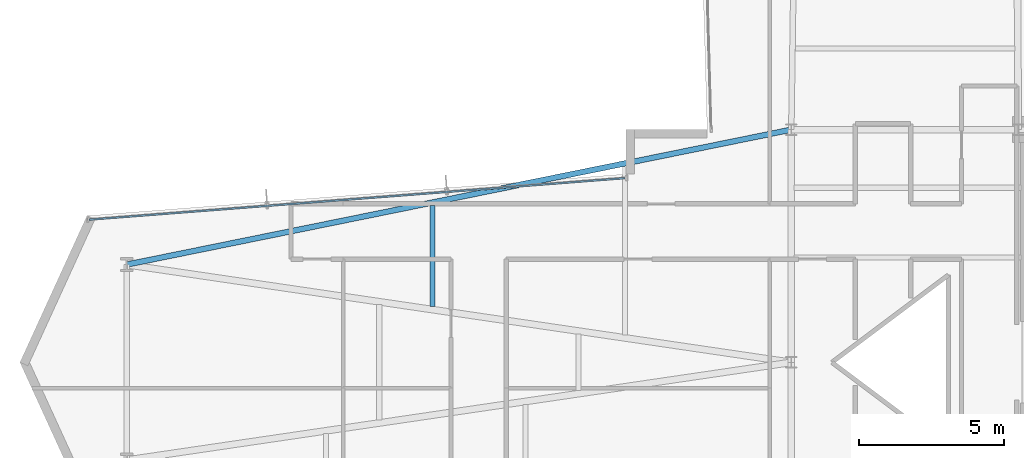
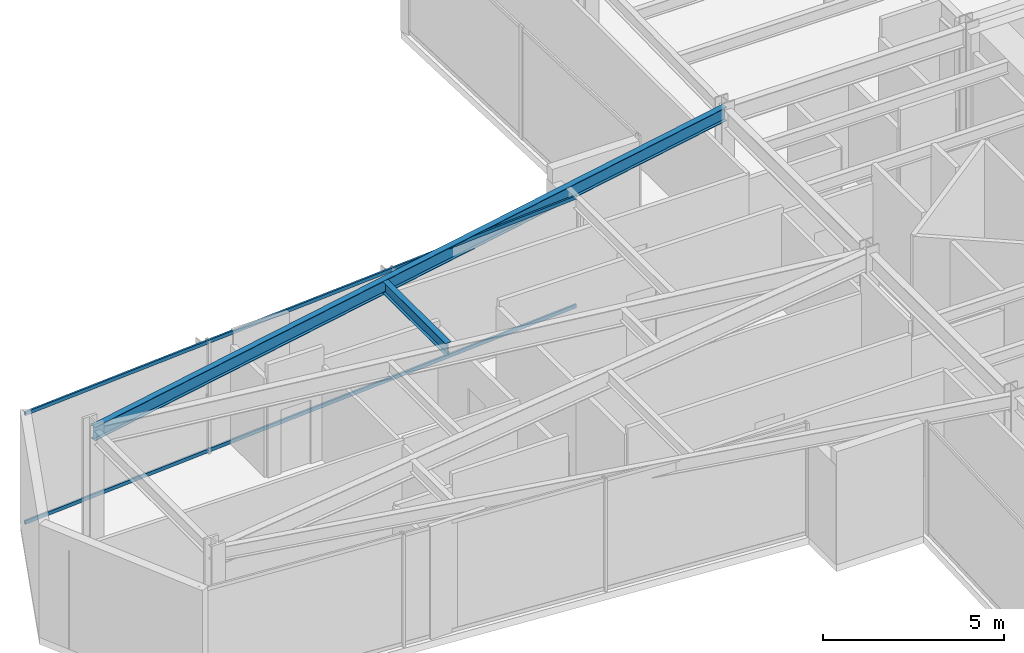
# One storey, part 9 of 30: 2 beams, 2 members, 1 element without a shape of its own.
"""IFC4 building model written with IfcOpenShell, lengths in metres."""

import ifcopenshell
import ifcopenshell.guid

model = None  # the IFC model being written
_history = None  # IfcOwnerHistory: only IFC2X3 demands one
_inside = {}  # id of a spatial element -> (the spatial element, [elements in it])
_under = {}  # id of a project, library or spatial element -> (it, [spatial elements below it])
_declared = {}  # id of a project -> (the project, [libraries it declares])
_typed = {}  # id of a type object -> (the type object, [elements of that type])
_made_of = {}  # id of a material, layer set ... -> (it, [elements and type objects made of it])


def new_model(schema):
    """Start an empty IFC model of exactly this schema.

    Asked for "IFC4X3", IfcOpenShell would pick the latest addendum, in which some entities
    have other attributes; the version numbers below select the first issue.
    IFC2X3 requires an IfcOwnerHistory on every rooted entity: one is made here for all.
    """
    global model, _history
    if schema == "IFC4X3":
        model = ifcopenshell.file(schema_version=(4, 3, 0, 0))
    else:
        model = ifcopenshell.file(schema=schema)
    _inside.clear()
    _under.clear()
    _declared.clear()
    _typed.clear()
    _made_of.clear()
    _history = None
    if model.schema == "IFC2X3":
        org = make("IfcOrganization", Name="unknown")
        user = make(
            "IfcPersonAndOrganization",
            ThePerson=make("IfcPerson", FamilyName="unknown"),
            TheOrganization=org,
        )
        app = make(
            "IfcApplication",
            ApplicationDeveloper=org,
            Version="unknown",
            ApplicationFullName="unknown",
            ApplicationIdentifier="unknown",
        )
        _history = make(
            "IfcOwnerHistory",
            OwningUser=user,
            OwningApplication=app,
            ChangeAction="ADDED",
            CreationDate=0,
        )
    return model


def make(cls, **values):
    """One entity of the class cls with the attributes given. An attribute that is None is left unset."""
    return model.create_entity(
        cls, **{name: value for name, value in values.items() if value is not None}
    )


def rooted(cls, **values):
    """An entity with a GlobalId (a new one), such as an element, a storey or a relation."""
    return make(cls, GlobalId=ifcopenshell.guid.new(), OwnerHistory=_history, **values)


def si_unit(unit_type, name, prefix=None):
    """IfcSIUnit, for example si_unit("LENGTHUNIT", "METRE", prefix="MILLI")."""
    return make("IfcSIUnit", UnitType=unit_type, Prefix=prefix, Name=name)


def assignment(units):
    """IfcUnitAssignment: the units of a project."""
    return None if units is None else make("IfcUnitAssignment", Units=units)


def point(xyz):
    """IfcCartesianPoint."""
    return None if xyz is None else make("IfcCartesianPoint", Coordinates=xyz)


def direction(xyz):
    """IfcDirection."""
    return None if xyz is None else make("IfcDirection", DirectionRatios=xyz)


def frame(location, z_axis=None, x_axis=None):
    """IfcAxis2Placement3D, a coordinate frame: its origin and axes. An axis left out is left unset."""
    return make(
        "IfcAxis2Placement3D",
        Location=point(location),
        Axis=direction(z_axis),
        RefDirection=direction(x_axis),
    )


def frame_2d(location, x_axis=None):
    """IfcAxis2Placement2D, a coordinate frame in the plane: its origin and x axis."""
    return make(
        "IfcAxis2Placement2D", Location=point(location), RefDirection=direction(x_axis)
    )


def origin():
    """The frame at (0, 0, 0) with its axes left unset."""
    return frame((0.0, 0.0, 0.0))


def origin_2d():
    """The frame at (0, 0) in the plane with its x axis left unset."""
    return frame_2d((0.0, 0.0))


def place(relative_to, where):
    """IfcLocalPlacement: puts the frame where relative to a parent placement (None: the world)."""
    return make(
        "IfcLocalPlacement", PlacementRelTo=relative_to, RelativePlacement=where
    )


def context(
    kind, dimensions, precision=None, world=None, true_north=None, identifier=None
):
    """IfcGeometricRepresentationContext, for example the 3D "Model" context."""
    return make(
        "IfcGeometricRepresentationContext",
        ContextIdentifier=identifier,
        ContextType=kind,
        CoordinateSpaceDimension=dimensions,
        Precision=precision,
        WorldCoordinateSystem=world,
        TrueNorth=true_north,
    )


def subcontext(parent, identifier, kind, view, scale=None):
    """IfcGeometricRepresentationSubContext, for example "Body" below "Model"."""
    return make(
        "IfcGeometricRepresentationSubContext",
        ContextIdentifier=identifier,
        ContextType=kind,
        ParentContext=parent,
        TargetScale=scale,
        TargetView=view,
    )


def project(units=None, contexts=None):
    """IfcProject with its units and contexts."""
    return rooted(
        "IfcProject",
        Name="project",
        RepresentationContexts=contexts,
        UnitsInContext=assignment(units),
    )


def spatial(cls, under=None, at=None, **own):
    """A site, building, storey or space (cls), placed at a placement, below another one or the project."""
    s = rooted(cls, ObjectPlacement=at, **own)
    if under is not None:
        _under.setdefault(under.id(), (under, []))[1].append(s)
    return s


def profile(cls, at=None, kind="AREA", **sizes):
    """A parametric profile (cls). Its sizes go by their IFC names, for example OverallWidth=200.0."""
    return make(cls, ProfileType=kind, Position=at, **sizes)


def hollow_rectangle(**sizes):
    """IfcRectangleHollowProfileDef."""
    return profile("IfcRectangleHollowProfileDef", **sizes)


def i_section(**sizes):
    """IfcIShapeProfileDef."""
    return profile("IfcIShapeProfileDef", **sizes)


def extrude(swept, where, along, depth):
    """IfcExtrudedAreaSolid: the profile swept, set in the frame where, extruded along a direction by depth."""
    return make(
        "IfcExtrudedAreaSolid",
        SweptArea=swept,
        Position=where,
        ExtrudedDirection=direction(along),
        Depth=depth,
    )


def shape(context_of_items, identifier, shape_type, items):
    """IfcShapeRepresentation: the items that make up one representation, for example the "Body"."""
    return make(
        "IfcShapeRepresentation",
        ContextOfItems=context_of_items,
        RepresentationIdentifier=identifier,
        RepresentationType=shape_type,
        Items=items,
    )


def material(Name=None, Category=None):
    """IfcMaterial."""
    return make("IfcMaterial", Name=Name, Category=Category)


def layer(
    of_material, thickness, ventilated=None, Name=None, Category=None, Priority=None
):
    """IfcMaterialLayer: one layer of a wall or slab, of a material (None: an air gap)."""
    return make(
        "IfcMaterialLayer",
        Material=of_material,
        LayerThickness=thickness,
        IsVentilated=ventilated,
        Name=Name,
        Category=Category,
        Priority=Priority,
    )


def layer_set(layers, Name=None):
    """IfcMaterialLayerSet."""
    return make("IfcMaterialLayerSet", MaterialLayers=layers, LayerSetName=Name)


def material_profile(
    of_material, cross_section, Name=None, Category=None, Priority=None
):
    """IfcMaterialProfile: a cross section and its material."""
    return make(
        "IfcMaterialProfile",
        Name=Name,
        Material=of_material,
        Profile=cross_section,
        Priority=Priority,
        Category=Category,
    )


def profile_set(profiles, Name=None, composite=None):
    """IfcMaterialProfileSet."""
    return make(
        "IfcMaterialProfileSet",
        Name=Name,
        MaterialProfiles=profiles,
        CompositeProfile=composite,
    )


def made_of(thing, what):
    """Note that an element or type object is made of a material, layer set ...; save() writes the relation."""
    if what is not None:
        _made_of.setdefault(what.id(), (what, []))[1].append(thing)
    return thing


def type_object(cls, material=None, **own):
    """A type object (cls), such as IfcWallType, which elements share."""
    return made_of(rooted(cls, **own), material)


def element(
    cls,
    number,
    at=None,
    inside=None,
    cuts=None,
    type_object=None,
    material=None,
    context=None,
    identifier="Body",
    shape_type=None,
    held_by="IfcProductDefinitionShape",
    body=None,
    shapes=None,
    **own,
):
    """One element of the class cls, such as IfcWall. Its Tag is "e" and its number.

    at: its placement. inside: the storey or other place that contains it. cuts: it is an
    opening in that element (IfcRelVoidsElement). A single representation is given by context,
    identifier, shape_type and body (its items); several are given by shapes. held_by: the class
    of the entity that holds the representations. save() writes the other relations.
    """
    e = rooted(cls, Tag="e%d" % number, ObjectPlacement=at, **own)
    if body is not None:
        shapes = [shape(context, identifier, shape_type, body)]
    if shapes is not None:
        e.Representation = make(held_by, Representations=shapes)
    if inside is not None:
        _inside.setdefault(inside.id(), (inside, []))[1].append(e)
    if cuts is not None:
        rooted(
            "IfcRelVoidsElement", RelatingBuildingElement=cuts, RelatedOpeningElement=e
        )
    if type_object is not None:
        _typed.setdefault(type_object.id(), (type_object, []))[1].append(e)
    return made_of(e, material)


def aggregate(whole, parts):
    """IfcRelAggregates: a whole, such as a stair, and the parts it consists of."""
    return rooted("IfcRelAggregates", RelatingObject=whole, RelatedObjects=parts)


def save(model, path):
    """Write the relations noted so far, then the file.

    IfcRelAggregates (storeys below a building ...), IfcRelContainedInSpatialStructure (elements
    in a storey), IfcRelDefinesByType, IfcRelAssociatesMaterial and IfcRelDeclares: one each for
    every whole, place, type object, material and project.
    """
    for whole, parts in _under.values():
        aggregate(whole, parts)
    for where, things in _inside.values():
        rooted(
            "IfcRelContainedInSpatialStructure",
            RelatedElements=things,
            RelatingStructure=where,
        )
    for kind, things in _typed.values():
        rooted("IfcRelDefinesByType", RelatedObjects=things, RelatingType=kind)
    for what, things in _made_of.values():
        rooted("IfcRelAssociatesMaterial", RelatedObjects=things, RelatingMaterial=what)
    for by, libraries in _declared.values():
        rooted("IfcRelDeclares", RelatingContext=by, RelatedDefinitions=libraries)
    model.write(path)


model = new_model("IFC4")

# Units and contexts
model_context = context("Model", 3, precision=1e-05, world=origin(), true_north=direction((0.0, 1.0)))
body_context = subcontext(model_context, "Body", "Model", "MODEL_VIEW")
ifc_project = project(units=[si_unit("LENGTHUNIT", "METRE"), si_unit("AREAUNIT", "SQUARE_METRE"), si_unit("VOLUMEUNIT", "CUBIC_METRE"), si_unit("PLANEANGLEUNIT", "RADIAN"), si_unit("MASSUNIT", "GRAM", prefix="KILO")], contexts=[model_context])

# Site, building, storey
site_placement = place(None, origin())
site = spatial("IfcSite", under=ifc_project, at=site_placement, CompositionType="ELEMENT")
building_placement = place(site_placement, origin())
building = spatial("IfcBuilding", under=site, at=building_placement, Name="Veymaron Broadcast Tower", CompositionType="ELEMENT")
storey_placement = place(building_placement, frame((0.0, 0.0, 49.949951171875)))
storey = spatial("IfcBuildingStorey", under=building, at=storey_placement, Name="L10", CompositionType="ELEMENT", Elevation=49.949951171875)

# Beams
ifc_material_1 = material(Name="Structural steel ASTM A992 Gr 50", Category="steel")
ifc_material_profile_1 = material_profile(ifc_material_1, i_section(OverallWidth=0.177978515625, OverallDepth=0.406982421875, WebThickness=0.0078125, FlangeThickness=0.0126953125, at=origin_2d()), Name="W410X60")
ifc_profile_set_1 = profile_set([ifc_material_profile_1], Name="Structural steel ASTM A992 Gr 50")
beam_type_1 = type_object("IfcBeamType", Name="BM-JS1", PredefinedType="JOIST", material=ifc_profile_set_1)
beam_1_placement = place(storey_placement, frame((18.862060546875, 25.914306640625, 3.6064453125), z_axis=(0.0, 1.0, 0.0), x_axis=(-1.0, 0.0, 0.0)))
element("IfcBeam", 1, at=beam_1_placement, inside=storey, type_object=beam_type_1, Name="L10 Arm-A secondary joist 1N", PredefinedType="JOIST", context=body_context, shape_type="SweptSolid", body=[
    extrude(i_section(OverallWidth=0.177978515625, OverallDepth=0.406982421875, WebThickness=0.0078125, FlangeThickness=0.0126953125, at=origin_2d()), origin(), (0.0, 0.0, 1.0), 3.47998046875),
])
ifc_material_profile_2 = material_profile(ifc_material_1, i_section(OverallWidth=0.19091796875, OverallDepth=0.4599609375, WebThickness=0.010009765625, FlangeThickness=0.01611328125, at=origin_2d()), Name="W460X82")
ifc_profile_set_2 = profile_set([ifc_material_profile_2], Name="Structural steel ASTM A992 Gr 50")
beam_type_2 = type_object("IfcBeamType", Name="BM-SP1", PredefinedType="SPANDREL", material=ifc_profile_set_2)
beam_2_placement = place(storey_placement, frame((8.35205078125, 27.360107421875, 3.580078125), z_axis=(0.979996415333, 0.199015139963, 0.0), x_axis=(-0.199015139963, 0.979996415333, 0.0)))
element("IfcBeam", 2, at=beam_2_placement, inside=storey, type_object=beam_type_2, Name="L10 primary structural floor girder", PredefinedType="SPANDREL", context=body_context, shape_type="SweptSolid", body=[
    extrude(i_section(OverallWidth=0.19091796875, OverallDepth=0.4599609375, WebThickness=0.010009765625, FlangeThickness=0.01611328125, at=origin_2d()), origin(), (0.0, 0.0, 1.0), 23.314208984375),
])

# Curtain wall, members
ifc_material_2 = material(Name="Anodised aluminium AA 6063-T6 and laminated low-E dark glass", Category="aluminium")
ifc_layer = layer(ifc_material_2, 0.179931640625)
ifc_layer_set = layer_set([ifc_layer], Name="Anodised aluminium AA 6063-T6 and laminated low-E dark glass")
curtain_wall_type = type_object("IfcCurtainWallType", Name="CW-SYS-02", PredefinedType="NOTDEFINED", material=ifc_layer_set)
curtain_wall_placement = place(storey_placement, origin())
curtain_wall = element("IfcCurtainWall", 3, at=curtain_wall_placement, inside=storey, type_object=curtain_wall_type, Name="L10 dark-glass curtain wall CW-L10-E11-1", PredefinedType="NOTDEFINED")
ifc_material_3 = material(Name="Anodised aluminium AA 6063-T6", Category="aluminium")
ifc_material_profile_3 = material_profile(ifc_material_3, hollow_rectangle(XDim=0.06005859375, YDim=0.1201171875, WallThickness=0.00390625, at=origin_2d()), Name="AL120X60X4")
ifc_profile_set_3 = profile_set([ifc_material_profile_3], Name="Anodised aluminium AA 6063-T6")
member_type = type_object("IfcMemberType", Name="CW-TRN-02", PredefinedType="USERDEFINED", material=ifc_profile_set_3)
member_1_placement = place(storey_placement, frame((25.489013671875, 30.33251953125, 0.070068359375), z_axis=(-0.997009170572, -0.07728333453, 0.0), x_axis=(0.07728333453, -0.997009170572, 0.0)))
member_1 = element("IfcMember", 4, at=member_1_placement, type_object=member_type, Name="CW-L10-E11-1 transom B", ObjectType="TRANSOM", PredefinedType="USERDEFINED", context=body_context, shape_type="SweptSolid", body=[
    extrude(hollow_rectangle(XDim=0.06005859375, YDim=0.1201171875, WallThickness=0.00390625, at=origin_2d()), origin(), (0.0, 0.0, 1.0), 18.4833984375),
])
member_2_placement = place(storey_placement, frame((25.489013671875, 30.33251953125, 3.739990234375), z_axis=(-0.997009170572, -0.07728333453, 0.0), x_axis=(0.07728333453, -0.997009170572, 0.0)))
member_2 = element("IfcMember", 5, at=member_2_placement, type_object=member_type, Name="CW-L10-E11-1 transom T", ObjectType="TRANSOM", PredefinedType="USERDEFINED", context=body_context, shape_type="SweptSolid", body=[
    extrude(hollow_rectangle(XDim=0.06005859375, YDim=0.1201171875, WallThickness=0.00390625, at=origin_2d()), origin(), (0.0, 0.0, 1.0), 18.4833984375),
])
aggregate(curtain_wall, [member_1, member_2])

save(model, "model.ifc")
